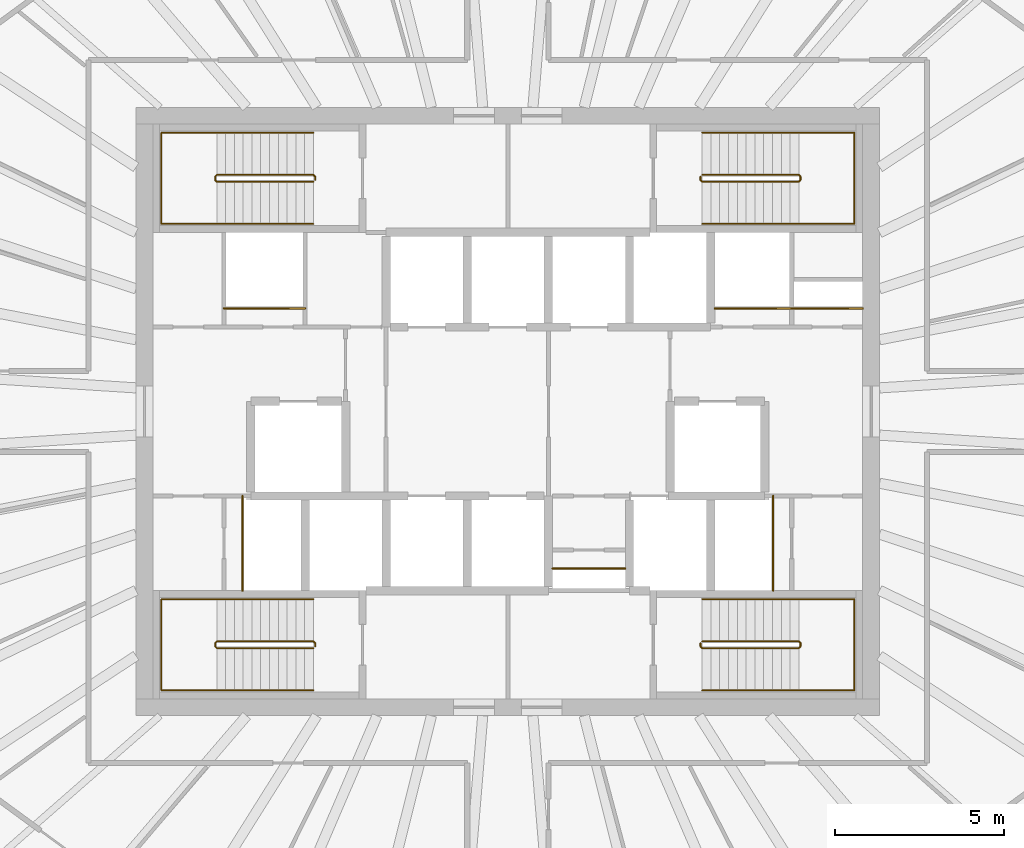
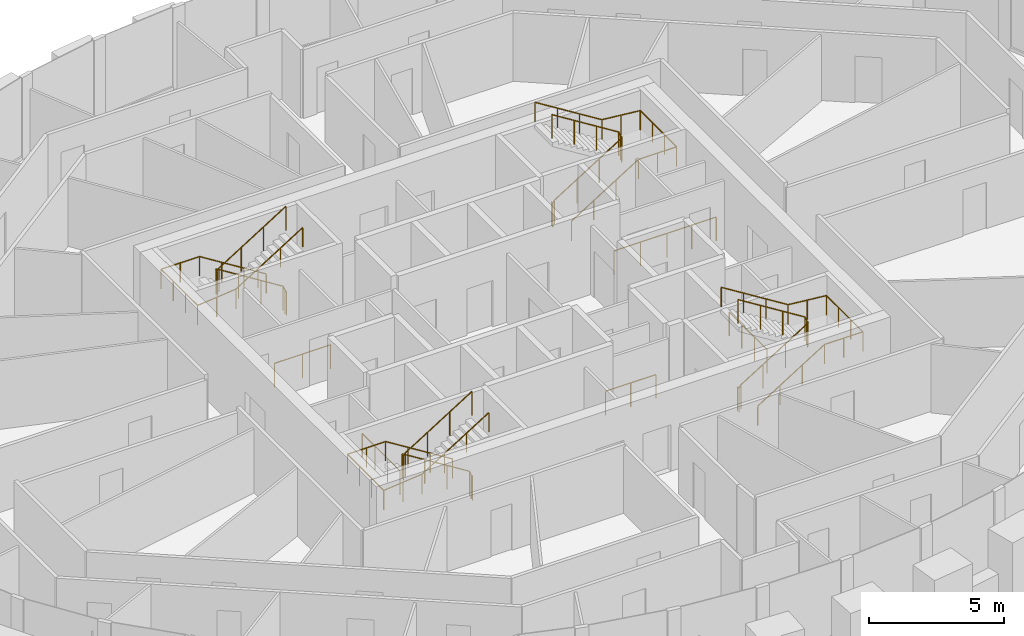
# One storey, part 11 of 11: 14 railings.
"""IFC4 building model written with IfcOpenShell, lengths in metres."""

from ifc_helpers import new_model, si_unit, direction, frame, origin, origin_2d, place, context, subcontext, project, spatial, circle, extrude, source, transform, mapped, material, type_object, element, save


model = new_model("IFC4")

# Units and contexts
model_context = context("Model", 3, precision=1e-05, world=origin(), true_north=direction((0.0, 1.0)))
body_context = subcontext(model_context, "Body", "Model", "MODEL_VIEW")
ifc_project = project(units=[si_unit("LENGTHUNIT", "METRE"), si_unit("AREAUNIT", "SQUARE_METRE"), si_unit("VOLUMEUNIT", "CUBIC_METRE"), si_unit("PLANEANGLEUNIT", "RADIAN"), si_unit("MASSUNIT", "GRAM", prefix="KILO")], contexts=[model_context])

# Site, building, storey
site_placement = place(None, origin())
site = spatial("IfcSite", under=ifc_project, at=site_placement, CompositionType="ELEMENT")
building_placement = place(site_placement, origin())
building = spatial("IfcBuilding", under=site, at=building_placement, Name="Embergate Tower", CompositionType="ELEMENT")
storey_placement = place(building_placement, frame((0.0, 0.0, 324.699951171875)))
storey = spatial("IfcBuildingStorey", under=building, at=storey_placement, Name="L76", CompositionType="ELEMENT", Elevation=324.699951171875)

# Railings
ifc_material_1 = material(Name="Stair guard 1100")
railing_type_1 = type_object("IfcRailingType", Name="Stair guard 1100", PredefinedType="GUARDRAIL", material=ifc_material_1)
shared_shape_1 = source(origin(), body_context, "Body", "SweptSolid", [
    extrude(circle(Radius=0.02392578125, at=origin_2d()), frame((0.0, 0.0, 1.076171875), z_axis=(0.0, 1.0, 0.0), x_axis=(-1.0, 0.0, 0.0)), (0.0, 0.0, 1.0), 0.099853515625),
    extrude(circle(Radius=0.02392578125, at=origin_2d()), frame((0.0, 0.099853515625, 1.076171875), z_axis=(-0.282227285176, 0.282227285176, 0.916894497205), x_axis=(-0.707106781187, -0.707106781187, 0.0)), (0.0, 0.0, 1.0), 0.17724609375),
    extrude(circle(Radius=0.02392578125, at=origin_2d()), frame((-0.050048828125, 0.14990234375, 1.23876953125), z_axis=(-0.848026770018, 0.0, 0.529953391661), x_axis=(0.0, -1.0, 0.0)), (0.0, 0.0, 1.0), 3.37255859375),
    extrude(circle(Radius=0.02392578125, at=origin_2d()), frame((-2.91015625, 0.14990234375, 3.02587890625), z_axis=(-0.705375805398, -0.708833529934, 0.0), x_axis=(0.708833529934, -0.705375805398, 0.0)), (0.0, 0.0, 1.0), 0.070556640625),
    extrude(circle(Radius=0.02392578125, at=origin_2d()), frame((-2.9599609375, 0.099853515625, 3.02587890625), z_axis=(0.0, -1.0, 0.0), x_axis=(1.0, 0.0, 0.0)), (0.0, 0.0, 1.0), 0.099853515625),
    extrude(circle(Radius=0.02392578125, at=origin_2d()), frame((-2.9599609375, 0.0, 3.02587890625), z_axis=(0.280959487676, -0.282336740067, 0.917250092119), x_axis=(0.708833529934, 0.705375805398, 0.0)), (0.0, 0.0, 1.0), 0.17724609375),
    extrude(circle(Radius=0.02392578125, at=origin_2d()), frame((-2.91015625, -0.050048828125, 3.1884765625), z_axis=(0.847994237388, 0.0, 0.530005446535), x_axis=(0.0, 1.0, 0.0)), (0.0, 0.0, 1.0), 3.372802734375),
    extrude(circle(Radius=0.02099609375, at=origin_2d()), origin(), (0.0, 0.0, 1.0), 1.052001953125),
    extrude(circle(Radius=0.02099609375, at=origin_2d()), frame((0.0, 0.099853515625, 0.0)), (0.0, 0.0, 1.0), 1.052001953125),
    extrude(circle(Radius=0.02099609375, at=origin_2d()), frame((-0.050048828125, 0.14990234375, 0.16259765625)), (0.0, 0.0, 1.0), 1.052001953125),
    extrude(circle(Radius=0.02099609375, at=origin_2d()), frame((-1.00341796875, 0.14990234375, 0.75830078125)), (0.0, 0.0, 1.0), 1.052001953125),
    extrude(circle(Radius=0.02099609375, at=origin_2d()), frame((-1.956787109375, 0.14990234375, 1.354248046875)), (0.0, 0.0, 1.0), 1.052001953125),
    extrude(circle(Radius=0.02099609375, at=origin_2d()), frame((-2.91015625, 0.14990234375, 1.949951171875)), (0.0, 0.0, 1.0), 1.052001953125),
    extrude(circle(Radius=0.02099609375, at=origin_2d()), frame((-2.9599609375, 0.099853515625, 1.949951171875)), (0.0, 0.0, 1.0), 1.052001953125),
    extrude(circle(Radius=0.02099609375, at=origin_2d()), frame((-2.9599609375, 0.0, 1.949951171875)), (0.0, 0.0, 1.0), 1.052001953125),
    extrude(circle(Radius=0.02099609375, at=origin_2d()), frame((-2.91015625, -0.050048828125, 2.112548828125)), (0.0, 0.0, 1.0), 1.052001953125),
    extrude(circle(Radius=0.02099609375, at=origin_2d()), frame((-1.956787109375, -0.050048828125, 2.70849609375)), (0.0, 0.0, 1.0), 1.052001953125),
    extrude(circle(Radius=0.02099609375, at=origin_2d()), frame((-1.00341796875, -0.050048828125, 3.30419921875)), (0.0, 0.0, 1.0), 1.052001953125),
    extrude(circle(Radius=0.02099609375, at=origin_2d()), frame((-0.050048828125, -0.050048828125, 3.900146484375)), (0.0, 0.0, 1.0), 1.052001953125),
])
for number, where, name in (
    (1, (-5.699951171875, 6.85009765625, 0.0), "L76 ST1 stair guard 1"),
    (2, (-5.699951171875, -6.949951171875, 0.0), "L76 ST3 stair guard 1"),
):
    element("IfcRailing", number, at=place(storey_placement, frame(where)), inside=storey, type_object=railing_type_1, Name=name, PredefinedType="GUARDRAIL", context=body_context, shape_type="MappedRepresentation", body=[
        mapped(shared_shape_1, transform((0.0, 0.0, 0.0))),
    ])
ifc_material_2 = material(Name="Stair handrail 900")
railing_type_2 = type_object("IfcRailingType", Name="Stair handrail 900", PredefinedType="HANDRAIL", material=ifc_material_2)
shared_shape_2 = source(origin(), body_context, "Body", "SweptSolid", [
    extrude(circle(Radius=0.02392578125, at=origin_2d()), frame((0.0, 0.0, 0.8759765625), z_axis=(-0.848026770018, 0.0, 0.529953391661), x_axis=(0.0, -1.0, 0.0)), (0.0, 0.0, 1.0), 3.37255859375),
    extrude(circle(Radius=0.02392578125, at=origin_2d()), frame((-2.860107421875, 0.0, 2.6630859375), z_axis=(-1.0, 0.0, 0.0), x_axis=(0.0, -1.0, 0.0)), (0.0, 0.0, 1.0), 1.639892578125),
    extrude(circle(Radius=0.02392578125, at=origin_2d()), frame((-4.5, 0.0, 2.6630859375), z_axis=(0.0, -1.0, 0.0), x_axis=(1.0, 0.0, 0.0)), (0.0, 0.0, 1.0), 2.699951171875),
    extrude(circle(Radius=0.02392578125, at=origin_2d()), frame((-4.5, -2.699951171875, 2.6630859375), z_axis=(0.995120448088, 0.0, 0.098667592441), x_axis=(0.0, 1.0, 0.0)), (0.0, 0.0, 1.0), 1.64794921875),
    extrude(circle(Radius=0.02392578125, at=origin_2d()), frame((-2.860107421875, -2.699951171875, 2.82568359375), z_axis=(0.847994237388, 0.0, 0.530005446535), x_axis=(0.0, 1.0, 0.0)), (0.0, 0.0, 1.0), 3.372802734375),
    extrude(circle(Radius=0.02099609375, at=origin_2d()), origin(), (0.0, 0.0, 1.0), 0.851806640625),
    extrude(circle(Radius=0.02099609375, at=origin_2d()), frame((-0.953369140625, 0.0, 0.595703125)), (0.0, 0.0, 1.0), 0.851806640625),
    extrude(circle(Radius=0.02099609375, at=origin_2d()), frame((-1.90673828125, 0.0, 1.191650390625)), (0.0, 0.0, 1.0), 0.851806640625),
    extrude(circle(Radius=0.02099609375, at=origin_2d()), frame((-2.860107421875, 0.0, 1.787353515625)), (0.0, 0.0, 1.0), 0.851806640625),
    extrude(circle(Radius=0.02099609375, at=origin_2d()), frame((-3.68017578125, 0.0, 1.787353515625)), (0.0, 0.0, 1.0), 0.851806640625),
    extrude(circle(Radius=0.02099609375, at=origin_2d()), frame((-4.5, 0.0, 1.787353515625)), (0.0, 0.0, 1.0), 0.851806640625),
    extrude(circle(Radius=0.02099609375, at=origin_2d()), frame((-4.5, -0.89990234375, 1.787353515625)), (0.0, 0.0, 1.0), 0.851806640625),
    extrude(circle(Radius=0.02099609375, at=origin_2d()), frame((-4.5, -1.800048828125, 1.787353515625)), (0.0, 0.0, 1.0), 0.851806640625),
    extrude(circle(Radius=0.02099609375, at=origin_2d()), frame((-4.5, -2.699951171875, 1.787353515625)), (0.0, 0.0, 1.0), 0.851806640625),
    extrude(circle(Radius=0.02099609375, at=origin_2d()), frame((-3.68017578125, -2.699951171875, 1.86865234375)), (0.0, 0.0, 1.0), 0.851806640625),
    extrude(circle(Radius=0.02099609375, at=origin_2d()), frame((-2.860107421875, -2.699951171875, 1.949951171875)), (0.0, 0.0, 1.0), 0.851806640625),
    extrude(circle(Radius=0.02099609375, at=origin_2d()), frame((-1.90673828125, -2.699951171875, 2.5458984375)), (0.0, 0.0, 1.0), 0.851806640625),
    extrude(circle(Radius=0.02099609375, at=origin_2d()), frame((-0.953369140625, -2.699951171875, 3.1416015625)), (0.0, 0.0, 1.0), 0.851806640625),
    extrude(circle(Radius=0.02099609375, at=origin_2d()), frame((0.0, -2.699951171875, 3.737548828125)), (0.0, 0.0, 1.0), 0.851806640625),
])
for number, where, name in (
    (3, (-5.75, 8.25, 0.16259765625), "L76 ST1 stair handrail 1"),
    (4, (-5.75, -5.550048828125, 0.16259765625), "L76 ST3 stair handrail 1"),
):
    element("IfcRailing", number, at=place(storey_placement, frame(where)), inside=storey, type_object=railing_type_2, Name=name, PredefinedType="HANDRAIL", context=body_context, shape_type="MappedRepresentation", body=[
        mapped(shared_shape_2, transform((0.0, 0.0, 0.0))),
    ])
shared_shape_3 = source(origin(), body_context, "Body", "SweptSolid", [
    extrude(circle(Radius=0.02392578125, at=origin_2d()), frame((0.0, 0.0, 1.076171875), z_axis=(0.0, -1.0, 0.0), x_axis=(1.0, 0.0, 0.0)), (0.0, 0.0, 1.0), 0.099853515625),
    extrude(circle(Radius=0.02392578125, at=origin_2d()), frame((0.0, -0.099853515625, 1.076171875), z_axis=(0.282227285176, -0.282227285176, 0.916894497205), x_axis=(0.707106781187, 0.707106781187, 0.0)), (0.0, 0.0, 1.0), 0.17724609375),
    extrude(circle(Radius=0.02392578125, at=origin_2d()), frame((0.050048828125, -0.14990234375, 1.23876953125), z_axis=(0.848026770018, 0.0, 0.529953391661), x_axis=(0.0, 1.0, 0.0)), (0.0, 0.0, 1.0), 3.37255859375),
    extrude(circle(Radius=0.02392578125, at=origin_2d()), frame((2.91015625, -0.14990234375, 3.02587890625), z_axis=(0.705375805398, 0.708833529934, 0.0), x_axis=(-0.708833529934, 0.705375805398, 0.0)), (0.0, 0.0, 1.0), 0.070556640625),
    extrude(circle(Radius=0.02392578125, at=origin_2d()), frame((2.9599609375, -0.099853515625, 3.02587890625), z_axis=(0.0, 1.0, 0.0), x_axis=(-1.0, 0.0, 0.0)), (0.0, 0.0, 1.0), 0.099853515625),
    extrude(circle(Radius=0.02392578125, at=origin_2d()), frame((2.9599609375, 0.0, 3.02587890625), z_axis=(-0.280959487676, 0.282336740067, 0.917250092119), x_axis=(-0.708833529934, -0.705375805398, 0.0)), (0.0, 0.0, 1.0), 0.17724609375),
    extrude(circle(Radius=0.02392578125, at=origin_2d()), frame((2.91015625, 0.050048828125, 3.1884765625), z_axis=(-0.847994237388, 0.0, 0.530005446535), x_axis=(0.0, -1.0, 0.0)), (0.0, 0.0, 1.0), 3.372802734375),
    extrude(circle(Radius=0.02099609375, at=origin_2d()), origin(), (0.0, 0.0, 1.0), 1.052001953125),
    extrude(circle(Radius=0.02099609375, at=origin_2d()), frame((0.0, -0.099853515625, 0.0)), (0.0, 0.0, 1.0), 1.052001953125),
    extrude(circle(Radius=0.02099609375, at=origin_2d()), frame((0.050048828125, -0.14990234375, 0.16259765625)), (0.0, 0.0, 1.0), 1.052001953125),
    extrude(circle(Radius=0.02099609375, at=origin_2d()), frame((1.00341796875, -0.14990234375, 0.75830078125)), (0.0, 0.0, 1.0), 1.052001953125),
    extrude(circle(Radius=0.02099609375, at=origin_2d()), frame((1.956787109375, -0.14990234375, 1.354248046875)), (0.0, 0.0, 1.0), 1.052001953125),
    extrude(circle(Radius=0.02099609375, at=origin_2d()), frame((2.91015625, -0.14990234375, 1.949951171875)), (0.0, 0.0, 1.0), 1.052001953125),
    extrude(circle(Radius=0.02099609375, at=origin_2d()), frame((2.9599609375, -0.099853515625, 1.949951171875)), (0.0, 0.0, 1.0), 1.052001953125),
    extrude(circle(Radius=0.02099609375, at=origin_2d()), frame((2.9599609375, 0.0, 1.949951171875)), (0.0, 0.0, 1.0), 1.052001953125),
    extrude(circle(Radius=0.02099609375, at=origin_2d()), frame((2.91015625, 0.050048828125, 2.112548828125)), (0.0, 0.0, 1.0), 1.052001953125),
    extrude(circle(Radius=0.02099609375, at=origin_2d()), frame((1.956787109375, 0.050048828125, 2.70849609375)), (0.0, 0.0, 1.0), 1.052001953125),
    extrude(circle(Radius=0.02099609375, at=origin_2d()), frame((1.00341796875, 0.050048828125, 3.30419921875)), (0.0, 0.0, 1.0), 1.052001953125),
    extrude(circle(Radius=0.02099609375, at=origin_2d()), frame((0.050048828125, 0.050048828125, 3.900146484375)), (0.0, 0.0, 1.0), 1.052001953125),
])
for number, where, name in (
    (5, (5.699951171875, 6.949951171875, 0.0), "L76 ST2 stair guard 1"),
    (6, (5.699951171875, -6.85009765625, 0.0), "L76 ST4 stair guard 1"),
):
    element("IfcRailing", number, at=place(storey_placement, frame(where)), inside=storey, type_object=railing_type_1, Name=name, PredefinedType="GUARDRAIL", context=body_context, shape_type="MappedRepresentation", body=[
        mapped(shared_shape_3, transform((0.0, 0.0, 0.0))),
    ])
shared_shape_4 = source(origin(), body_context, "Body", "SweptSolid", [
    extrude(circle(Radius=0.02392578125, at=origin_2d()), frame((0.0, 0.0, 0.8759765625), z_axis=(0.848026770018, 0.0, 0.529953391661), x_axis=(0.0, 1.0, 0.0)), (0.0, 0.0, 1.0), 3.37255859375),
    extrude(circle(Radius=0.02392578125, at=origin_2d()), frame((2.860107421875, 0.0, 2.6630859375), z_axis=(1.0, 0.0, 0.0), x_axis=(0.0, 1.0, 0.0)), (0.0, 0.0, 1.0), 1.639892578125),
    extrude(circle(Radius=0.02392578125, at=origin_2d()), frame((4.5, 0.0, 2.6630859375), z_axis=(0.0, 1.0, 0.0), x_axis=(-1.0, 0.0, 0.0)), (0.0, 0.0, 1.0), 2.699951171875),
    extrude(circle(Radius=0.02392578125, at=origin_2d()), frame((4.5, 2.699951171875, 2.6630859375), z_axis=(-0.995120448088, 0.0, 0.098667592441), x_axis=(0.0, -1.0, 0.0)), (0.0, 0.0, 1.0), 1.64794921875),
    extrude(circle(Radius=0.02392578125, at=origin_2d()), frame((2.860107421875, 2.699951171875, 2.82568359375), z_axis=(-0.847994237388, 0.0, 0.530005446535), x_axis=(0.0, -1.0, 0.0)), (0.0, 0.0, 1.0), 3.372802734375),
    extrude(circle(Radius=0.02099609375, at=origin_2d()), origin(), (0.0, 0.0, 1.0), 0.851806640625),
    extrude(circle(Radius=0.02099609375, at=origin_2d()), frame((0.953369140625, 0.0, 0.595703125)), (0.0, 0.0, 1.0), 0.851806640625),
    extrude(circle(Radius=0.02099609375, at=origin_2d()), frame((1.90673828125, 0.0, 1.191650390625)), (0.0, 0.0, 1.0), 0.851806640625),
    extrude(circle(Radius=0.02099609375, at=origin_2d()), frame((2.860107421875, 0.0, 1.787353515625)), (0.0, 0.0, 1.0), 0.851806640625),
    extrude(circle(Radius=0.02099609375, at=origin_2d()), frame((3.68017578125, 0.0, 1.787353515625)), (0.0, 0.0, 1.0), 0.851806640625),
    extrude(circle(Radius=0.02099609375, at=origin_2d()), frame((4.5, 0.0, 1.787353515625)), (0.0, 0.0, 1.0), 0.851806640625),
    extrude(circle(Radius=0.02099609375, at=origin_2d()), frame((4.5, 0.89990234375, 1.787353515625)), (0.0, 0.0, 1.0), 0.851806640625),
    extrude(circle(Radius=0.02099609375, at=origin_2d()), frame((4.5, 1.800048828125, 1.787353515625)), (0.0, 0.0, 1.0), 0.851806640625),
    extrude(circle(Radius=0.02099609375, at=origin_2d()), frame((4.5, 2.699951171875, 1.787353515625)), (0.0, 0.0, 1.0), 0.851806640625),
    extrude(circle(Radius=0.02099609375, at=origin_2d()), frame((3.68017578125, 2.699951171875, 1.86865234375)), (0.0, 0.0, 1.0), 0.851806640625),
    extrude(circle(Radius=0.02099609375, at=origin_2d()), frame((2.860107421875, 2.699951171875, 1.949951171875)), (0.0, 0.0, 1.0), 0.851806640625),
    extrude(circle(Radius=0.02099609375, at=origin_2d()), frame((1.90673828125, 2.699951171875, 2.5458984375)), (0.0, 0.0, 1.0), 0.851806640625),
    extrude(circle(Radius=0.02099609375, at=origin_2d()), frame((0.953369140625, 2.699951171875, 3.1416015625)), (0.0, 0.0, 1.0), 0.851806640625),
    extrude(circle(Radius=0.02099609375, at=origin_2d()), frame((0.0, 2.699951171875, 3.737548828125)), (0.0, 0.0, 1.0), 0.851806640625),
])
for number, where, name in (
    (7, (5.75, 5.550048828125, 0.16259765625), "L76 ST2 stair handrail 1"),
    (8, (5.75, -8.25, 0.16259765625), "L76 ST4 stair handrail 1"),
):
    element("IfcRailing", number, at=place(storey_placement, frame(where)), inside=storey, type_object=railing_type_2, Name=name, PredefinedType="HANDRAIL", context=body_context, shape_type="MappedRepresentation", body=[
        mapped(shared_shape_4, transform((0.0, 0.0, 0.0))),
    ])
ifc_material_3 = material(Name="Opening guard 1100")
railing_type_3 = type_object("IfcRailingType", Name="Opening guard 1100", PredefinedType="GUARDRAIL", material=ifc_material_3)
shared_shape_5 = source(origin(), body_context, "Body", "SweptSolid", [
    extrude(circle(Radius=0.02392578125, at=origin_2d()), frame((0.0, 0.0, 1.076171875), z_axis=(1.0, 0.0, 0.0), x_axis=(0.0, 1.0, 0.0)), (0.0, 0.0, 1.0), 2.27490234375),
    extrude(circle(Radius=0.02099609375, at=origin_2d()), origin(), (0.0, 0.0, 1.0), 1.052001953125),
    extrude(circle(Radius=0.02099609375, at=origin_2d()), frame((1.137451171875, 0.0, 0.0)), (0.0, 0.0, 1.0), 1.052001953125),
    extrude(circle(Radius=0.02099609375, at=origin_2d()), frame((2.27490234375, 0.0, 0.0)), (0.0, 0.0, 1.0), 1.052001953125),
])
railing_1_placement = place(storey_placement, frame((6.125, 3.050048828125, 0.0)))
element("IfcRailing", 9, at=railing_1_placement, inside=storey, type_object=railing_type_3, Name="Riser opening guard", PredefinedType="GUARDRAIL", context=body_context, shape_type="MappedRepresentation", body=[
    mapped(shared_shape_5, transform((0.0, 0.0, 0.0))),
])
shared_shape_6 = source(origin(), body_context, "Body", "SweptSolid", [
    extrude(circle(Radius=0.02392578125, at=origin_2d()), frame((0.0, 0.0, 1.076171875), z_axis=(0.0, 1.0, 0.0), x_axis=(-1.0, 0.0, 0.0)), (0.0, 0.0, 1.0), 2.800048828125),
    extrude(circle(Radius=0.02099609375, at=origin_2d()), origin(), (0.0, 0.0, 1.0), 1.052001953125),
    extrude(circle(Radius=0.02099609375, at=origin_2d()), frame((0.0, 0.933349609375, 0.0)), (0.0, 0.0, 1.0), 1.052001953125),
    extrude(circle(Radius=0.02099609375, at=origin_2d()), frame((0.0, 1.86669921875, 0.0)), (0.0, 0.0, 1.0), 1.052001953125),
    extrude(circle(Radius=0.02099609375, at=origin_2d()), frame((0.0, 2.800048828125, 0.0)), (0.0, 0.0, 1.0), 1.052001953125),
])
for number, where, name in (
    (10, (-7.85009765625, -5.300048828125, 0.0), "Riser opening guard"),
    (11, (7.85009765625, -5.300048828125, 0.0), "Riser opening guard"),
):
    element("IfcRailing", number, at=place(storey_placement, frame(where)), inside=storey, type_object=railing_type_3, Name=name, PredefinedType="GUARDRAIL", context=body_context, shape_type="MappedRepresentation", body=[
        mapped(shared_shape_6, transform((0.0, 0.0, 0.0))),
    ])
shared_shape_7 = source(origin(), body_context, "Body", "SweptSolid", [
    extrude(circle(Radius=0.02392578125, at=origin_2d()), frame((0.0, 0.0, 1.076171875), z_axis=(1.0, 0.0, 0.0), x_axis=(0.0, 1.0, 0.0)), (0.0, 0.0, 1.0), 2.39990234375),
    extrude(circle(Radius=0.02099609375, at=origin_2d()), origin(), (0.0, 0.0, 1.0), 1.052001953125),
    extrude(circle(Radius=0.02099609375, at=origin_2d()), frame((1.199951171875, 0.0, 0.0)), (0.0, 0.0, 1.0), 1.052001953125),
    extrude(circle(Radius=0.02099609375, at=origin_2d()), frame((2.39990234375, 0.0, 0.0)), (0.0, 0.0, 1.0), 1.052001953125),
])
railing_2_placement = place(storey_placement, frame((-8.39990234375, 3.050048828125, 0.0)))
element("IfcRailing", 12, at=railing_2_placement, inside=storey, type_object=railing_type_3, Name="Riser opening guard", PredefinedType="GUARDRAIL", context=body_context, shape_type="MappedRepresentation", body=[
    mapped(shared_shape_7, transform((0.0, 0.0, 0.0))),
])
shared_shape_8 = source(origin(), body_context, "Body", "SweptSolid", [
    extrude(circle(Radius=0.02392578125, at=origin_2d()), frame((0.0, 0.0, 1.076171875), z_axis=(1.0, 0.0, 0.0), x_axis=(0.0, 1.0, 0.0)), (0.0, 0.0, 1.0), 2.10009765625),
    extrude(circle(Radius=0.02099609375, at=origin_2d()), origin(), (0.0, 0.0, 1.0), 1.052001953125),
    extrude(circle(Radius=0.02099609375, at=origin_2d()), frame((1.050048828125, 0.0, 0.0)), (0.0, 0.0, 1.0), 1.052001953125),
    extrude(circle(Radius=0.02099609375, at=origin_2d()), frame((2.10009765625, 0.0, 0.0)), (0.0, 0.0, 1.0), 1.052001953125),
])
railing_3_placement = place(storey_placement, frame((8.39990234375, 3.050048828125, 0.0)))
element("IfcRailing", 13, at=railing_3_placement, inside=storey, type_object=railing_type_3, Name="Riser opening guard", PredefinedType="GUARDRAIL", context=body_context, shape_type="MappedRepresentation", body=[
    mapped(shared_shape_8, transform((0.0, 0.0, 0.0))),
])
shared_shape_9 = source(origin(), body_context, "Body", "SweptSolid", [
    extrude(circle(Radius=0.02392578125, at=origin_2d()), frame((0.0, 0.0, 1.076171875), z_axis=(1.0, 0.0, 0.0), x_axis=(0.0, 1.0, 0.0)), (0.0, 0.0, 1.0), 2.150146484375),
    extrude(circle(Radius=0.02099609375, at=origin_2d()), origin(), (0.0, 0.0, 1.0), 1.052001953125),
    extrude(circle(Radius=0.02099609375, at=origin_2d()), frame((1.0751953125, 0.0, 0.0)), (0.0, 0.0, 1.0), 1.052001953125),
    extrude(circle(Radius=0.02099609375, at=origin_2d()), frame((2.150146484375, 0.0, 0.0)), (0.0, 0.0, 1.0), 1.052001953125),
])
railing_4_placement = place(storey_placement, frame((1.324951171875, -4.64599609375, 0.0)))
element("IfcRailing", 14, at=railing_4_placement, inside=storey, type_object=railing_type_3, Name="Riser opening guard", PredefinedType="GUARDRAIL", context=body_context, shape_type="MappedRepresentation", body=[
    mapped(shared_shape_9, transform((0.0, 0.0, 0.0))),
])

save(model, "model.ifc")
